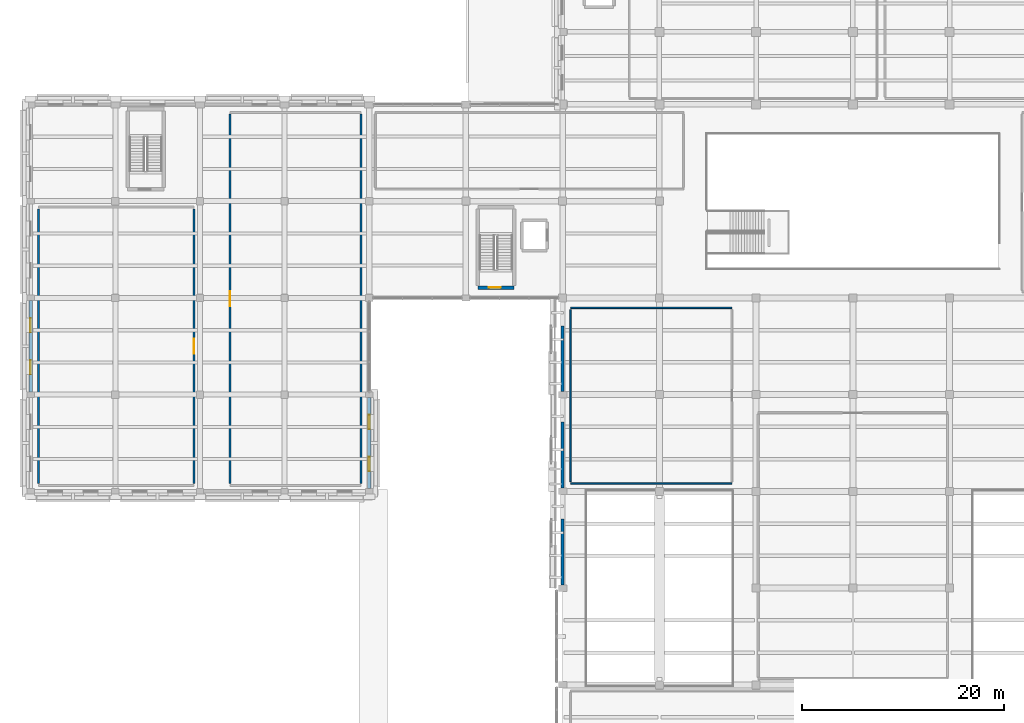
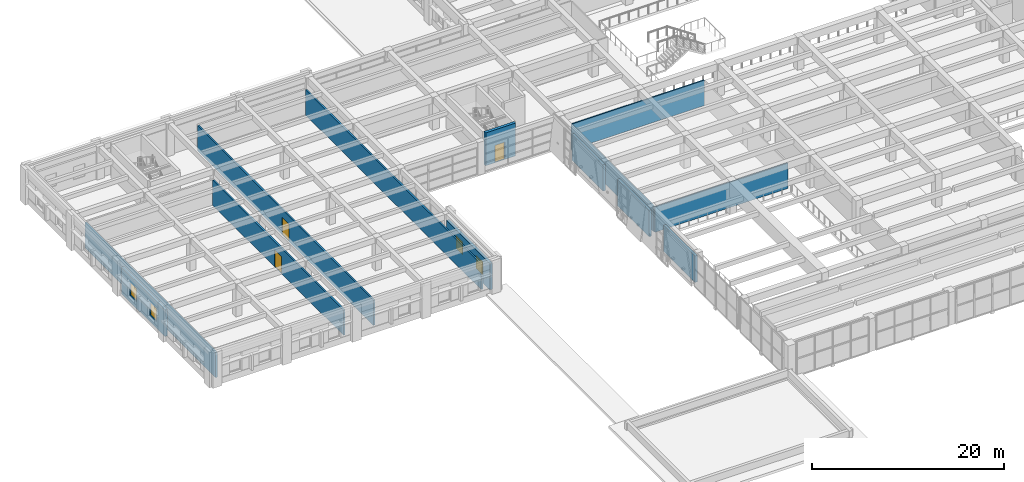
# One storey, part 30 of 49: 13 walls, 4 windows, 3 doors, 7 openings.
"""IFC4 building model written with IfcOpenShell, lengths in metres."""

from ifc_helpers import new_model, si_unit, direction, frame, frame_2d, origin, place, context, subcontext, project, spatial, rectangle, extrude, material, layer, layer_set, type_object, element, fill, save


model = new_model("IFC4")

# Units and contexts
model_context = context("Model", 3, precision=1e-05, world=origin(), true_north=direction((0.0, 1.0)))
body_context = subcontext(model_context, "Body", "Model", "MODEL_VIEW")
ifc_project = project(units=[si_unit("LENGTHUNIT", "METRE"), si_unit("AREAUNIT", "SQUARE_METRE"), si_unit("VOLUMEUNIT", "CUBIC_METRE"), si_unit("PLANEANGLEUNIT", "RADIAN"), si_unit("MASSUNIT", "GRAM", prefix="KILO")], contexts=[model_context])

# Site, building, storey
site_placement = place(None, origin())
site = spatial("IfcSite", under=ifc_project, at=site_placement, CompositionType="ELEMENT")
building_placement = place(site_placement, origin())
building = spatial("IfcBuilding", under=site, at=building_placement, Name="Bempovik Park Faculty of Sciences", CompositionType="ELEMENT")
storey_placement = place(building_placement, frame((0.0, 0.0, 5.39990234375)))
storey = spatial("IfcBuildingStorey", under=building, at=storey_placement, Name="L01", CompositionType="ELEMENT", Elevation=5.39990234375)

# Walls
ifc_material_1 = material(Name="Precast concrete C40/50", Category="concrete")
ifc_layer_1 = layer(ifc_material_1, 0.280029296875)
ifc_layer_set_1 = layer_set([ifc_layer_1], Name="Precast concrete C40/50")
wall_type_1 = type_object("IfcWallType", Name="W-25 Wall 280mm", PredefinedType="SOLIDWALL", material=ifc_layer_set_1)
for number, where, z_axis, x_axis, name in (
    (1, (60.0, 39.326904296875, 0.0), (0.0, 0.0, 1.0), (0.0, 1.0, 0.0), "L01 Crystal Backup Wall EW-CRYS-L01-7237"),
    (2, (60.0, 48.927001953125, 0.0), (0.0, 0.0, 1.0), (0.0, 1.0, 0.0), "L01 Crystal Backup Wall EW-CRYS-L01-7262"),
):
    element("IfcWall", number, at=place(storey_placement, frame(where, z_axis=z_axis, x_axis=x_axis)), inside=storey, type_object=wall_type_1, Name=name, PredefinedType="SOLIDWALL", context=body_context, shape_type="SweptSolid", body=[
        extrude(rectangle(XDim=6.5419921875, YDim=0.280029296875, at=frame_2d((3.27099609375, 0.0))), origin(), (0.0, 0.0, 1.0), 3.380126953125),
    ])
wall_1_placement = place(storey_placement, frame((60.0, 58.527099609375, 0.0), z_axis=(0.0, 0.0, 1.0), x_axis=(0.0, 1.0, 0.0)))
element("IfcWall", 3, at=wall_1_placement, inside=storey, type_object=wall_type_1, Name="L01 Crystal Backup Wall EW-CRYS-L01-7287", PredefinedType="SOLIDWALL", context=body_context, shape_type="SweptSolid", body=[
    extrude(rectangle(XDim=6.466796875, YDim=0.280029296875, at=frame_2d((3.2333984375, 0.0))), origin(), (0.0, 0.0, 1.0), 3.380126953125),
])
ifc_material_2 = material(Name="Gypsum acoustic stud assembly")
ifc_layer_2 = layer(ifc_material_2, 0.14990234375)
ifc_layer_set_2 = layer_set([ifc_layer_2], Name="Gypsum acoustic stud assembly")
wall_type_2 = type_object("IfcWallType", Name="W-42 Wall 150mm", PredefinedType="PARTITIONING", material=ifc_layer_set_2)
for number, where, z_axis, x_axis, name in (
    (4, (60.800048828125, 49.39990234375, 0.0), (0.0, 0.0, 1.0), (1.0, 0.0, 0.0), "L01 Crystal West Seminar Room Partition South"),
    (5, (60.800048828125, 66.800048828125, 0.0), (0.0, 0.0, 1.0), (1.0, 0.0, 0.0), "L01 Crystal West Seminar Room Partition North"),
):
    element("IfcWall", number, at=place(storey_placement, frame(where, z_axis=z_axis, x_axis=x_axis)), inside=storey, type_object=wall_type_2, Name=name, PredefinedType="PARTITIONING", context=body_context, shape_type="SweptSolid", body=[
        extrude(rectangle(XDim=16.0, YDim=0.14990234375, at=frame_2d((8.0, 0.0))), origin(), (0.0, 0.0, 1.0), 3.22021484375),
    ])
wall_2_placement = place(storey_placement, frame((60.800048828125, 49.56005859375, 0.0), z_axis=(0.0, 0.0, 1.0), x_axis=(0.0, 1.0, 0.0)))
element("IfcWall", 6, at=wall_2_placement, inside=storey, type_object=wall_type_2, Name="L01 Crystal West Seminar Room Partition West", PredefinedType="PARTITIONING", context=body_context, shape_type="SweptSolid", body=[
    extrude(rectangle(XDim=17.079833984375, YDim=0.14990234375, at=frame_2d((8.5400390625, 0.0))), origin(), (0.0, 0.0, 1.0), 3.22021484375),
])

# Wall, opening, door
ifc_material_3 = material(Name="Concrete C40/50", Category="concrete")
ifc_layer_3 = layer(ifc_material_3, 0.35009765625)
ifc_layer_set_3 = layer_set([ifc_layer_3], Name="Concrete C40/50")
wall_type_3 = type_object("IfcWallType", Name="W-46 Wall 350mm", PredefinedType="SHEAR", material=ifc_layer_set_3)
wall_3_placement = place(storey_placement, frame((51.574951171875, 68.824951171875, 0.0), z_axis=(0.0, 0.0, 1.0), x_axis=(1.0, 0.0, 0.0)))
wall_3 = element("IfcWall", 7, at=wall_3_placement, inside=storey, type_object=wall_type_3, Name="ST-4 L01 Core Shear Wall South", PredefinedType="SHEAR", context=body_context, shape_type="SweptSolid", body=[
    extrude(rectangle(XDim=3.60009765625, YDim=0.35009765625, at=frame_2d((1.800048828125, 0.0))), origin(), (0.0, 0.0, 1.0), 4.18017578125),
])
opening_1_placement = place(wall_3_placement, frame((1.10009765625, 0.0, 0.0)))
opening_1 = element("IfcOpeningElement", 8, at=opening_1_placement, cuts=wall_3, Name="Opening D-49", PredefinedType="OPENING", context=body_context, shape_type="SweptSolid", body=[
    extrude(rectangle(XDim=1.199951171875, YDim=2.199951171875, at=frame_2d((0.60009765625, 1.10009765625))), frame((0.0, 0.18505859375, 0.0), z_axis=(0.0, -1.0, 0.0), x_axis=(1.0, 0.0, 0.0)), (0.0, 0.0, 1.0), 0.3701171875),
])
ifc_material_4 = material(Name="Painted steel S355", Category="steel")
door_type_1 = type_object("IfcDoorType", Name="D-49 Door 1200x2200", OperationType="NOTDEFINED", PredefinedType="DOOR", material=ifc_material_4)
door_1_placement = place(opening_1_placement, origin())
door_1 = element("IfcDoor", 9, at=door_1_placement, inside=storey, type_object=door_type_1, Name="ST-4 L01 Protected Stair Smoke Door", OperationType="SINGLE_SWING_RIGHT", OverallHeight=2.199951171875, OverallWidth=1.199951171875, PredefinedType="DOOR", context=body_context, shape_type="SweptSolid", body=[
    extrude(rectangle(XDim=1.199951171875, YDim=2.199951171875, at=frame_2d((0.60009765625, 1.10009765625))), frame((0.0, 0.02490234375, 0.0), z_axis=(0.0, -1.0, 0.0), x_axis=(1.0, 0.0, 0.0)), (0.0, 0.0, 1.0), 0.050048828125),
])
fill(opening_1, door_1)

# Wall, openings, windows
ifc_layer_4 = layer(ifc_material_1, 0.320068359375)
ifc_layer_set_4 = layer_set([ifc_layer_4], Name="Precast concrete C40/50")
wall_type_4 = type_object("IfcWallType", Name="W-56 Wall 320mm", PredefinedType="SOLIDWALL", material=ifc_layer_set_4)
wall_4_placement = place(storey_placement, frame((40.800048828125, 48.8720703125, 0.0), z_axis=(0.0, 0.0, 1.0), x_axis=(0.0, 1.0, 0.0)))
wall_4 = element("IfcWall", 10, at=wall_4_placement, inside=storey, type_object=wall_type_4, Name="L01 Classical Precast Facade Wall EW-L01-6400", PredefinedType="SOLIDWALL", context=body_context, shape_type="SweptSolid", body=[
    extrude(rectangle(XDim=9.055908203125, YDim=0.320068359375, at=frame_2d((4.52783203125, 0.0))), origin(), (0.0, 0.0, 1.0), 3.380126953125),
])
opening_2_placement = place(wall_4_placement, frame((1.7451171875, 0.0, 0.85009765625)))
opening_2 = element("IfcOpeningElement", 11, at=opening_2_placement, cuts=wall_4, Name="Opening WN-84", PredefinedType="OPENING", context=body_context, shape_type="SweptSolid", body=[
    extrude(rectangle(XDim=1.39990234375, YDim=1.64990234375, at=frame_2d((0.699951171875, 0.824951171875))), frame((0.0, 0.169921875, 0.0), z_axis=(0.0, -1.0, 0.0), x_axis=(1.0, 0.0, 0.0)), (0.0, 0.0, 1.0), 0.340087890625),
])
opening_3_placement = place(wall_4_placement, frame((5.910888671875, 0.0, 0.85009765625)))
opening_3 = element("IfcOpeningElement", 12, at=opening_3_placement, cuts=wall_4, Name="Opening WN-84", PredefinedType="OPENING", context=body_context, shape_type="SweptSolid", body=[
    extrude(rectangle(XDim=1.39990234375, YDim=1.64990234375, at=frame_2d((0.699951171875, 0.824951171875))), frame((0.0, 0.169921875, 0.0), z_axis=(0.0, -1.0, 0.0), x_axis=(1.0, 0.0, 0.0)), (0.0, 0.0, 1.0), 0.340087890625),
])
ifc_material_5 = material(Name="Tempered laminated low-E glass", Category="glass")
window_type = type_object("IfcWindowType", Name="WN-84 Window 1400x1650", PartitioningType="SINGLE_PANEL", PredefinedType="WINDOW", material=ifc_material_5)
window_1_placement = place(opening_2_placement, origin())
window_1 = element("IfcWindow", 13, at=window_1_placement, inside=storey, type_object=window_type, Name="L01 Window EW-L01-6400-1", OverallHeight=1.64990234375, OverallWidth=1.39990234375, PartitioningType="SINGLE_PANEL", PredefinedType="WINDOW", context=body_context, shape_type="SweptSolid", body=[
    extrude(rectangle(XDim=1.39990234375, YDim=1.64990234375, at=frame_2d((0.699951171875, 0.824951171875))), frame((0.0, 0.030029296875, 0.0), z_axis=(0.0, -1.0, 0.0), x_axis=(1.0, 0.0, 0.0)), (0.0, 0.0, 1.0), 0.06005859375),
])
fill(opening_2, window_1)
window_2_placement = place(opening_3_placement, origin())
window_2 = element("IfcWindow", 14, at=window_2_placement, inside=storey, type_object=window_type, Name="L01 Window EW-L01-6400-2", OverallHeight=1.64990234375, OverallWidth=1.39990234375, PartitioningType="SINGLE_PANEL", PredefinedType="WINDOW", context=body_context, shape_type="SweptSolid", body=[
    extrude(rectangle(XDim=1.39990234375, YDim=1.64990234375, at=frame_2d((0.699951171875, 0.824951171875))), frame((0.0, 0.030029296875, 0.0), z_axis=(0.0, -1.0, 0.0), x_axis=(1.0, 0.0, 0.0)), (0.0, 0.0, 1.0), 0.06005859375),
])
fill(opening_3, window_2)

wall_5_placement = place(storey_placement, frame((7.199951171875, 58.471923828125, 0.0), z_axis=(0.0, 0.0, 1.0), x_axis=(0.0, 1.0, 0.0)))
wall_5 = element("IfcWall", 15, at=wall_5_placement, inside=storey, type_object=wall_type_4, Name="L01 Classical Precast Facade Wall EW-L01-6497", PredefinedType="SOLIDWALL", context=body_context, shape_type="SweptSolid", body=[
    extrude(rectangle(XDim=9.05615234375, YDim=0.320068359375, at=frame_2d((4.528076171875, 0.0))), origin(), (0.0, 0.0, 1.0), 3.380126953125),
])
opening_4_placement = place(wall_5_placement, frame((1.7451171875, 0.0, 0.85009765625)))
opening_4 = element("IfcOpeningElement", 16, at=opening_4_placement, cuts=wall_5, Name="Opening WN-84", PredefinedType="OPENING", context=body_context, shape_type="SweptSolid", body=[
    extrude(rectangle(XDim=1.39990234375, YDim=1.64990234375, at=frame_2d((0.699951171875, 0.824951171875))), frame((0.0, 0.169921875, 0.0), z_axis=(0.0, -1.0, 0.0), x_axis=(1.0, 0.0, 0.0)), (0.0, 0.0, 1.0), 0.340087890625),
])
opening_5_placement = place(wall_5_placement, frame((5.910888671875, 0.0, 0.85009765625)))
opening_5 = element("IfcOpeningElement", 17, at=opening_5_placement, cuts=wall_5, Name="Opening WN-84", PredefinedType="OPENING", context=body_context, shape_type="SweptSolid", body=[
    extrude(rectangle(XDim=1.39990234375, YDim=1.64990234375, at=frame_2d((0.699951171875, 0.824951171875))), frame((0.0, 0.169921875, 0.0), z_axis=(0.0, -1.0, 0.0), x_axis=(1.0, 0.0, 0.0)), (0.0, 0.0, 1.0), 0.340087890625),
])
window_3_placement = place(opening_4_placement, origin())
window_3 = element("IfcWindow", 18, at=window_3_placement, inside=storey, type_object=window_type, Name="L01 Window EW-L01-6497-1", OverallHeight=1.64990234375, OverallWidth=1.39990234375, PartitioningType="SINGLE_PANEL", PredefinedType="WINDOW", context=body_context, shape_type="SweptSolid", body=[
    extrude(rectangle(XDim=1.39990234375, YDim=1.64990234375, at=frame_2d((0.699951171875, 0.824951171875))), frame((0.0, 0.030029296875, 0.0), z_axis=(0.0, -1.0, 0.0), x_axis=(1.0, 0.0, 0.0)), (0.0, 0.0, 1.0), 0.06005859375),
])
fill(opening_4, window_3)
window_4_placement = place(opening_5_placement, origin())
window_4 = element("IfcWindow", 19, at=window_4_placement, inside=storey, type_object=window_type, Name="L01 Window EW-L01-6497-2", OverallHeight=1.64990234375, OverallWidth=1.39990234375, PartitioningType="SINGLE_PANEL", PredefinedType="WINDOW", context=body_context, shape_type="SweptSolid", body=[
    extrude(rectangle(XDim=1.39990234375, YDim=1.64990234375, at=frame_2d((0.699951171875, 0.824951171875))), frame((0.0, 0.030029296875, 0.0), z_axis=(0.0, -1.0, 0.0), x_axis=(1.0, 0.0, 0.0)), (0.0, 0.0, 1.0), 0.06005859375),
])
fill(opening_5, window_4)

# Wall
ifc_material_6 = material(Name="Concrete C35/45", Category="concrete")
ifc_layer_5 = layer(ifc_material_6, 0.199951171875)
ifc_layer_set_5 = layer_set([ifc_layer_5], Name="Concrete C35/45")
wall_type_5 = type_object("IfcWallType", Name="W-59 Wall 200mm", PredefinedType="PARTITIONING", material=ifc_layer_set_5)
wall_6_placement = place(storey_placement, frame((8.0, 49.360107421875, 0.0), z_axis=(0.0, 0.0, 1.0), x_axis=(0.0, 1.0, 0.0)))
element("IfcWall", 20, at=wall_6_placement, inside=storey, type_object=wall_type_5, Name="L01 Organic Chemistry Teaching Laboratory Partition West", PredefinedType="PARTITIONING", context=body_context, shape_type="SweptSolid", body=[
    extrude(rectangle(XDim=27.27978515625, YDim=0.199951171875, at=frame_2d((13.639892578125, 0.0))), origin(), (0.0, 0.0, 1.0), 3.22021484375),
])

# Wall, opening, door
wall_7_placement = place(storey_placement, frame((23.39990234375, 49.360107421875, 0.0), z_axis=(0.0, 0.0, 1.0), x_axis=(0.0, 1.0, 0.0)))
wall_7 = element("IfcWall", 21, at=wall_7_placement, inside=storey, type_object=wall_type_5, Name="L01 Organic Chemistry Teaching Laboratory Partition East", PredefinedType="PARTITIONING", context=body_context, shape_type="SweptSolid", body=[
    extrude(rectangle(XDim=27.27978515625, YDim=0.199951171875, at=frame_2d((13.639892578125, 0.0))), origin(), (0.0, 0.0, 1.0), 3.22021484375),
])
opening_6_placement = place(wall_7_placement, frame((12.889892578125, 0.0, 0.0)))
opening_6 = element("IfcOpeningElement", 22, at=opening_6_placement, cuts=wall_7, Name="Opening D-22", PredefinedType="OPENING", context=body_context, shape_type="SweptSolid", body=[
    extrude(rectangle(XDim=1.5, YDim=2.199951171875, at=frame_2d((0.75, 1.10009765625))), frame((0.0, 0.10986328125, 0.0), z_axis=(0.0, -1.0, 0.0), x_axis=(1.0, 0.0, 0.0)), (0.0, 0.0, 1.0), 0.219970703125),
])
ifc_material_7 = material(Name="West African hardwood finish", Category="wood")
door_type_2 = type_object("IfcDoorType", Name="D-22 Door 1500x2200", OperationType="NOTDEFINED", PredefinedType="DOOR", material=ifc_material_7)
door_2_placement = place(opening_6_placement, origin())
door_2 = element("IfcDoor", 23, at=door_2_placement, inside=storey, type_object=door_type_2, Name="L01 Organic Chemistry Teaching Laboratory Door", OperationType="SINGLE_SWING_LEFT", OverallHeight=2.199951171875, OverallWidth=1.5, PredefinedType="DOOR", context=body_context, shape_type="SweptSolid", body=[
    extrude(rectangle(XDim=1.5, YDim=2.199951171875, at=frame_2d((0.75, 1.10009765625))), frame((0.0, 0.02490234375, 0.0), z_axis=(0.0, -1.0, 0.0), x_axis=(1.0, 0.0, 0.0)), (0.0, 0.0, 1.0), 0.050048828125),
])
fill(opening_6, door_2)

wall_8_placement = place(storey_placement, frame((27.0, 49.360107421875, 0.0), z_axis=(0.0, 0.0, 1.0), x_axis=(0.0, 1.0, 0.0)))
wall_8 = element("IfcWall", 24, at=wall_8_placement, inside=storey, type_object=wall_type_5, Name="L01 Analytical Instrumentation Teaching Laboratory Partition West", PredefinedType="PARTITIONING", context=body_context, shape_type="SweptSolid", body=[
    extrude(rectangle(XDim=36.679931640625, YDim=0.199951171875, at=frame_2d((18.33984375, 0.0))), origin(), (0.0, 0.0, 1.0), 3.22021484375),
])
opening_7_placement = place(wall_8_placement, frame((17.590087890625, 0.0, 0.0)))
opening_7 = element("IfcOpeningElement", 25, at=opening_7_placement, cuts=wall_8, Name="Opening D-22", PredefinedType="OPENING", context=body_context, shape_type="SweptSolid", body=[
    extrude(rectangle(XDim=1.5, YDim=2.199951171875, at=frame_2d((0.75, 1.10009765625))), frame((0.0, 0.10986328125, 0.0), z_axis=(0.0, -1.0, 0.0), x_axis=(1.0, 0.0, 0.0)), (0.0, 0.0, 1.0), 0.219970703125),
])
door_3_placement = place(opening_7_placement, origin())
door_3 = element("IfcDoor", 26, at=door_3_placement, inside=storey, type_object=door_type_2, Name="L01 Analytical Instrumentation Teaching Laboratory Door", OperationType="SINGLE_SWING_RIGHT", OverallHeight=2.199951171875, OverallWidth=1.5, PredefinedType="DOOR", context=body_context, shape_type="SweptSolid", body=[
    extrude(rectangle(XDim=1.5, YDim=2.199951171875, at=frame_2d((0.75, 1.10009765625))), frame((0.0, 0.02490234375, 0.0), z_axis=(0.0, -1.0, 0.0), x_axis=(1.0, 0.0, 0.0)), (0.0, 0.0, 1.0), 0.050048828125),
])
fill(opening_7, door_3)

# Wall
wall_9_placement = place(storey_placement, frame((40.0, 49.360107421875, 0.0), z_axis=(0.0, 0.0, 1.0), x_axis=(0.0, 1.0, 0.0)))
element("IfcWall", 27, at=wall_9_placement, inside=storey, type_object=wall_type_5, Name="L01 Analytical Instrumentation Teaching Laboratory Partition East", PredefinedType="PARTITIONING", context=body_context, shape_type="SweptSolid", body=[
    extrude(rectangle(XDim=36.679931640625, YDim=0.199951171875, at=frame_2d((18.33984375, 0.0))), origin(), (0.0, 0.0, 1.0), 3.22021484375),
])

save(model, "model.ifc")
